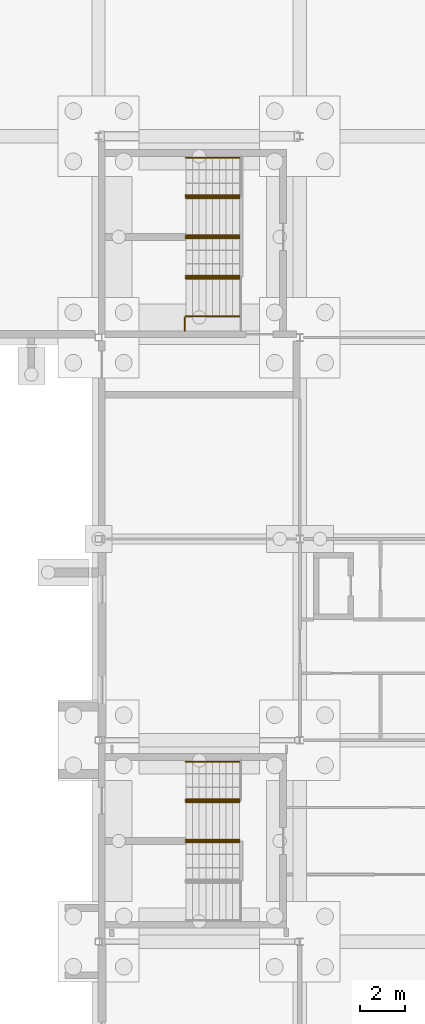
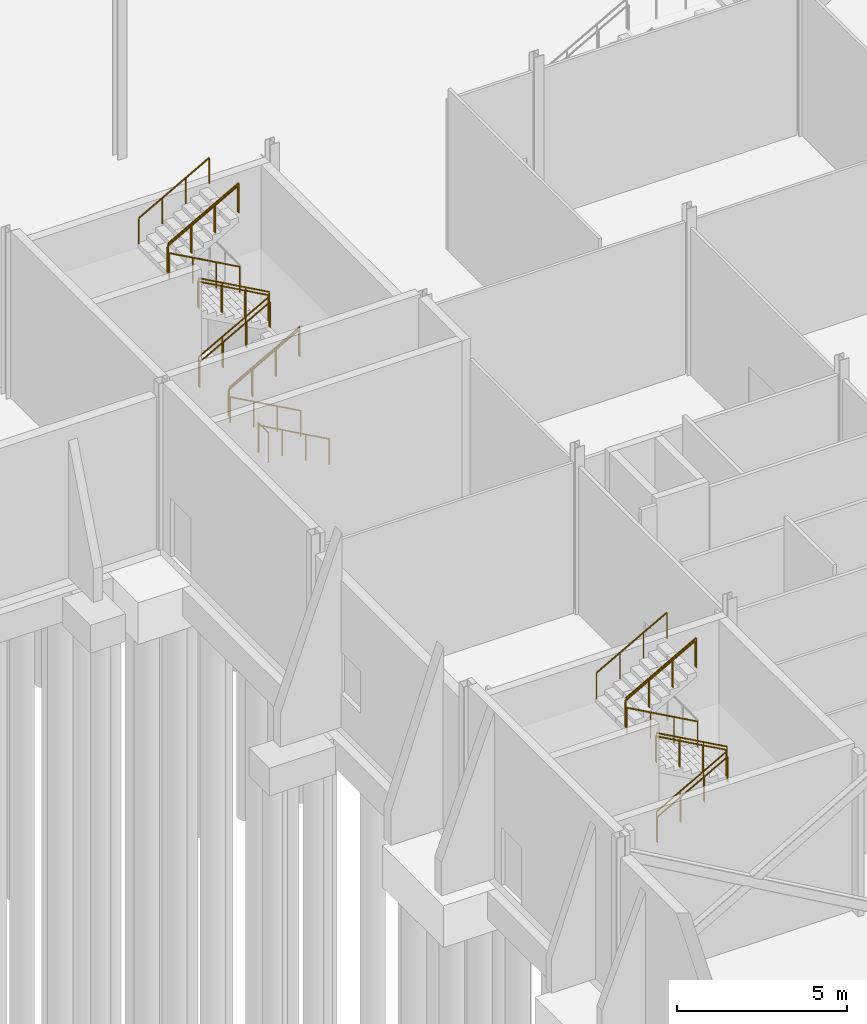
# One storey, part 131 of 139: 21 railings.
"""IFC4 building model written with IfcOpenShell, lengths in metres."""

from ifc_helpers import new_model, si_unit, direction, frame, origin, origin_2d, place, context, subcontext, project, spatial, circle, extrude, material, type_object, element, save


model = new_model("IFC4")

# Units and contexts
model_context = context("Model", 3, precision=1e-05, world=origin(), true_north=direction((0.0, 1.0)))
body_context = subcontext(model_context, "Body", "Model", "MODEL_VIEW")
ifc_project = project(units=[si_unit("LENGTHUNIT", "METRE"), si_unit("AREAUNIT", "SQUARE_METRE"), si_unit("VOLUMEUNIT", "CUBIC_METRE"), si_unit("PLANEANGLEUNIT", "RADIAN"), si_unit("MASSUNIT", "GRAM", prefix="KILO")], contexts=[model_context])

# Site, building, storey
site_placement = place(None, origin())
site = spatial("IfcSite", under=ifc_project, at=site_placement, CompositionType="ELEMENT")
building_placement = place(site_placement, origin())
building = spatial("IfcBuilding", under=site, at=building_placement, Name="Shorebreak Coast Museum", CompositionType="ELEMENT")
storey_placement = place(building_placement, origin())
storey = spatial("IfcBuildingStorey", under=building, at=storey_placement, Name="L00", CompositionType="ELEMENT", Elevation=0.0)

# Railings
ifc_material_1 = material(Name="Steel Grade 300", Category="steel")
railing_type_1 = type_object("IfcRailingType", Name="Stair guard 1100", PredefinedType="GUARDRAIL", material=ifc_material_1)
railing_1_placement = place(storey_placement, frame((57.85009765625, 54.300048828125, 1.5)))
element("IfcRailing", 1, at=railing_1_placement, inside=storey, type_object=railing_type_1, Name="Guard ST01 L00 landing strip", PredefinedType="GUARDRAIL", context=body_context, shape_type="SweptSolid", body=[
    extrude(circle(Radius=0.02490234375, at=origin_2d()), frame((0.0, 0.0, 1.0751953125), z_axis=(0.0, 1.0, 0.0), x_axis=(-1.0, 0.0, 0.0)), (0.0, 0.0, 1.0), 0.599853515625),
    extrude(circle(Radius=0.02001953125, at=origin_2d()), origin(), (0.0, 0.0, 1.0), 1.050048828125),
    extrude(circle(Radius=0.02001953125, at=origin_2d()), frame((0.0, 0.599853515625, 0.0)), (0.0, 0.0, 1.0), 1.050048828125),
])
for number, where, name in (
    (2, (57.89990234375, 56.699951171875, 1.666748046875), "Guard ST01-L00 well 1"),
    (3, (57.89990234375, 60.300048828125, 4.666748046875), "Guard ST01-L00 well 2"),
    (4, (57.89990234375, 58.5, 1.666748046875), "Guard ST01-L00 side 1"),
):
    element("IfcRailing", number, at=place(storey_placement, frame(where)), inside=storey, type_object=railing_type_1, Name=name, PredefinedType="GUARDRAIL", context=body_context, shape_type="SweptSolid", body=[
        extrude(circle(Radius=0.02490234375, at=origin_2d()), frame((0.0, 0.0, 1.0751953125), z_axis=(0.874182441271, 0.0, 0.485597631145), x_axis=(0.0, 1.0, 0.0)), (0.0, 0.0, 1.0), 2.74560546875),
        extrude(circle(Radius=0.02001953125, at=origin_2d()), origin(), (0.0, 0.0, 1.0), 1.050048828125),
        extrude(circle(Radius=0.02001953125, at=origin_2d()), frame((0.800048828125, 0.0, 0.4443359375)), (0.0, 0.0, 1.0), 1.050048828125),
        extrude(circle(Radius=0.02001953125, at=origin_2d()), frame((1.60009765625, 0.0, 0.888916015625)), (0.0, 0.0, 1.0), 1.050048828125),
        extrude(circle(Radius=0.02001953125, at=origin_2d()), frame((2.400146484375, 0.0, 1.333251953125)), (0.0, 0.0, 1.0), 1.050048828125),
    ])
railing_2_placement = place(storey_placement, frame((60.300048828125, 58.5, 3.166748046875)))
element("IfcRailing", 5, at=railing_2_placement, inside=storey, type_object=railing_type_1, Name="Guard ST01-L00 side 2", PredefinedType="GUARDRAIL", context=body_context, shape_type="SweptSolid", body=[
    extrude(circle(Radius=0.02490234375, at=origin_2d()), frame((0.0, 0.0, 1.0751953125), z_axis=(-0.874182441271, 0.0, 0.485597631145), x_axis=(0.0, -1.0, 0.0)), (0.0, 0.0, 1.0), 2.74560546875),
    extrude(circle(Radius=0.02001953125, at=origin_2d()), origin(), (0.0, 0.0, 1.0), 1.050048828125),
    extrude(circle(Radius=0.02001953125, at=origin_2d()), frame((-0.800048828125, 0.0, 0.4443359375)), (0.0, 0.0, 1.0), 1.050048828125),
    extrude(circle(Radius=0.02001953125, at=origin_2d()), frame((-1.60009765625, 0.0, 0.888916015625)), (0.0, 0.0, 1.0), 1.050048828125),
    extrude(circle(Radius=0.02001953125, at=origin_2d()), frame((-2.400146484375, 0.0, 1.333251953125)), (0.0, 0.0, 1.0), 1.050048828125),
])
for number, where, name in (
    (6, (57.89990234375, 33.300048828125, 4.666748046875), "Guard ST13-L00 well 2"),
    (7, (57.89990234375, 31.5, 1.666748046875), "Guard ST13-L00 side 1"),
):
    element("IfcRailing", number, at=place(storey_placement, frame(where)), inside=storey, type_object=railing_type_1, Name=name, PredefinedType="GUARDRAIL", context=body_context, shape_type="SweptSolid", body=[
        extrude(circle(Radius=0.02490234375, at=origin_2d()), frame((0.0, 0.0, 1.0751953125), z_axis=(0.874182441271, 0.0, 0.485597631145), x_axis=(0.0, 1.0, 0.0)), (0.0, 0.0, 1.0), 2.74560546875),
        extrude(circle(Radius=0.02001953125, at=origin_2d()), origin(), (0.0, 0.0, 1.0), 1.050048828125),
        extrude(circle(Radius=0.02001953125, at=origin_2d()), frame((0.800048828125, 0.0, 0.4443359375)), (0.0, 0.0, 1.0), 1.050048828125),
        extrude(circle(Radius=0.02001953125, at=origin_2d()), frame((1.60009765625, 0.0, 0.888916015625)), (0.0, 0.0, 1.0), 1.050048828125),
        extrude(circle(Radius=0.02001953125, at=origin_2d()), frame((2.400146484375, 0.0, 1.333251953125)), (0.0, 0.0, 1.0), 1.050048828125),
    ])
railing_3_placement = place(storey_placement, frame((60.300048828125, 31.5, 3.166748046875)))
element("IfcRailing", 8, at=railing_3_placement, inside=storey, type_object=railing_type_1, Name="Guard ST13-L00 side 2", PredefinedType="GUARDRAIL", context=body_context, shape_type="SweptSolid", body=[
    extrude(circle(Radius=0.02490234375, at=origin_2d()), frame((0.0, 0.0, 1.0751953125), z_axis=(-0.874182441271, 0.0, 0.485597631145), x_axis=(0.0, -1.0, 0.0)), (0.0, 0.0, 1.0), 2.74560546875),
    extrude(circle(Radius=0.02001953125, at=origin_2d()), origin(), (0.0, 0.0, 1.0), 1.050048828125),
    extrude(circle(Radius=0.02001953125, at=origin_2d()), frame((-0.800048828125, 0.0, 0.4443359375)), (0.0, 0.0, 1.0), 1.050048828125),
    extrude(circle(Radius=0.02001953125, at=origin_2d()), frame((-1.60009765625, 0.0, 0.888916015625)), (0.0, 0.0, 1.0), 1.050048828125),
    extrude(circle(Radius=0.02001953125, at=origin_2d()), frame((-2.400146484375, 0.0, 1.333251953125)), (0.0, 0.0, 1.0), 1.050048828125),
])
ifc_material_2 = material(Name="Steel Grade 300", Category="steel")
railing_type_2 = type_object("IfcRailingType", Name="Stair handrail 950", PredefinedType="HANDRAIL", material=ifc_material_2)
for number, where, name in (
    (9, (60.300048828125, 54.9599609375, 0.166748046875), "Handrail ST01-L00 flight 1a"),
    (10, (60.300048828125, 56.639892578125, 0.166748046875), "Handrail ST01-L00 flight 1b"),
):
    element("IfcRailing", number, at=place(storey_placement, frame(where)), inside=storey, type_object=railing_type_2, Name=name, PredefinedType="HANDRAIL", context=body_context, shape_type="SweptSolid", body=[
        extrude(circle(Radius=0.02490234375, at=origin_2d()), frame((0.0, 0.0, 0.9248046875), z_axis=(-0.874182441271, 0.0, 0.485597631145), x_axis=(0.0, -1.0, 0.0)), (0.0, 0.0, 1.0), 2.74560546875),
        extrude(circle(Radius=0.02001953125, at=origin_2d()), origin(), (0.0, 0.0, 1.0), 0.89990234375),
        extrude(circle(Radius=0.02001953125, at=origin_2d()), frame((-0.800048828125, 0.0, 0.4443359375)), (0.0, 0.0, 1.0), 0.89990234375),
        extrude(circle(Radius=0.02001953125, at=origin_2d()), frame((-1.60009765625, 0.0, 0.888916015625)), (0.0, 0.0, 1.0), 0.89990234375),
        extrude(circle(Radius=0.02001953125, at=origin_2d()), frame((-2.400146484375, 0.0, 1.333251953125)), (0.0, 0.0, 1.0), 0.89990234375),
    ])
for number, where, name in (
    (11, (57.89990234375, 56.760009765625, 1.666748046875), "Handrail ST01-L00 flight 2a"),
    (12, (57.89990234375, 58.43994140625, 1.666748046875), "Handrail ST01-L00 flight 2b"),
):
    element("IfcRailing", number, at=place(storey_placement, frame(where)), inside=storey, type_object=railing_type_2, Name=name, PredefinedType="HANDRAIL", context=body_context, shape_type="SweptSolid", body=[
        extrude(circle(Radius=0.02490234375, at=origin_2d()), frame((0.0, 0.0, 0.9248046875), z_axis=(0.874182441271, 0.0, 0.485597631145), x_axis=(0.0, 1.0, 0.0)), (0.0, 0.0, 1.0), 2.74560546875),
        extrude(circle(Radius=0.02001953125, at=origin_2d()), origin(), (0.0, 0.0, 1.0), 0.89990234375),
        extrude(circle(Radius=0.02001953125, at=origin_2d()), frame((0.800048828125, 0.0, 0.4443359375)), (0.0, 0.0, 1.0), 0.89990234375),
        extrude(circle(Radius=0.02001953125, at=origin_2d()), frame((1.60009765625, 0.0, 0.888916015625)), (0.0, 0.0, 1.0), 0.89990234375),
        extrude(circle(Radius=0.02001953125, at=origin_2d()), frame((2.400146484375, 0.0, 1.333251953125)), (0.0, 0.0, 1.0), 0.89990234375),
    ])
for number, where, name in (
    (13, (60.300048828125, 58.56005859375, 3.166748046875), "Handrail ST01-L00 flight 3a"),
    (14, (60.300048828125, 60.239990234375, 3.166748046875), "Handrail ST01-L00 flight 3b"),
):
    element("IfcRailing", number, at=place(storey_placement, frame(where)), inside=storey, type_object=railing_type_2, Name=name, PredefinedType="HANDRAIL", context=body_context, shape_type="SweptSolid", body=[
        extrude(circle(Radius=0.02490234375, at=origin_2d()), frame((0.0, 0.0, 0.9248046875), z_axis=(-0.874182441271, 0.0, 0.485597631145), x_axis=(0.0, -1.0, 0.0)), (0.0, 0.0, 1.0), 2.74560546875),
        extrude(circle(Radius=0.02001953125, at=origin_2d()), origin(), (0.0, 0.0, 1.0), 0.89990234375),
        extrude(circle(Radius=0.02001953125, at=origin_2d()), frame((-0.800048828125, 0.0, 0.4443359375)), (0.0, 0.0, 1.0), 0.89990234375),
        extrude(circle(Radius=0.02001953125, at=origin_2d()), frame((-1.60009765625, 0.0, 0.888916015625)), (0.0, 0.0, 1.0), 0.89990234375),
        extrude(circle(Radius=0.02001953125, at=origin_2d()), frame((-2.400146484375, 0.0, 1.333251953125)), (0.0, 0.0, 1.0), 0.89990234375),
    ])
for number, where, name in (
    (15, (57.89990234375, 60.360107421875, 4.666748046875), "Handrail ST01-L00 flight 4a"),
    (16, (57.89990234375, 62.0400390625, 4.666748046875), "Handrail ST01-L00 flight 4b"),
    (17, (57.89990234375, 31.43994140625, 1.666748046875), "Handrail ST13-L00 flight 2b"),
):
    element("IfcRailing", number, at=place(storey_placement, frame(where)), inside=storey, type_object=railing_type_2, Name=name, PredefinedType="HANDRAIL", context=body_context, shape_type="SweptSolid", body=[
        extrude(circle(Radius=0.02490234375, at=origin_2d()), frame((0.0, 0.0, 0.9248046875), z_axis=(0.874182441271, 0.0, 0.485597631145), x_axis=(0.0, 1.0, 0.0)), (0.0, 0.0, 1.0), 2.74560546875),
        extrude(circle(Radius=0.02001953125, at=origin_2d()), origin(), (0.0, 0.0, 1.0), 0.89990234375),
        extrude(circle(Radius=0.02001953125, at=origin_2d()), frame((0.800048828125, 0.0, 0.4443359375)), (0.0, 0.0, 1.0), 0.89990234375),
        extrude(circle(Radius=0.02001953125, at=origin_2d()), frame((1.60009765625, 0.0, 0.888916015625)), (0.0, 0.0, 1.0), 0.89990234375),
        extrude(circle(Radius=0.02001953125, at=origin_2d()), frame((2.400146484375, 0.0, 1.333251953125)), (0.0, 0.0, 1.0), 0.89990234375),
    ])
for number, where, name in (
    (18, (60.300048828125, 31.56005859375, 3.166748046875), "Handrail ST13-L00 flight 3a"),
    (19, (60.300048828125, 33.239990234375, 3.166748046875), "Handrail ST13-L00 flight 3b"),
):
    element("IfcRailing", number, at=place(storey_placement, frame(where)), inside=storey, type_object=railing_type_2, Name=name, PredefinedType="HANDRAIL", context=body_context, shape_type="SweptSolid", body=[
        extrude(circle(Radius=0.02490234375, at=origin_2d()), frame((0.0, 0.0, 0.9248046875), z_axis=(-0.874182441271, 0.0, 0.485597631145), x_axis=(0.0, -1.0, 0.0)), (0.0, 0.0, 1.0), 2.74560546875),
        extrude(circle(Radius=0.02001953125, at=origin_2d()), origin(), (0.0, 0.0, 1.0), 0.89990234375),
        extrude(circle(Radius=0.02001953125, at=origin_2d()), frame((-0.800048828125, 0.0, 0.4443359375)), (0.0, 0.0, 1.0), 0.89990234375),
        extrude(circle(Radius=0.02001953125, at=origin_2d()), frame((-1.60009765625, 0.0, 0.888916015625)), (0.0, 0.0, 1.0), 0.89990234375),
        extrude(circle(Radius=0.02001953125, at=origin_2d()), frame((-2.400146484375, 0.0, 1.333251953125)), (0.0, 0.0, 1.0), 0.89990234375),
    ])
for number, where, name in (
    (20, (57.89990234375, 33.360107421875, 4.666748046875), "Handrail ST13-L00 flight 4a"),
    (21, (57.89990234375, 35.0400390625, 4.666748046875), "Handrail ST13-L00 flight 4b"),
):
    element("IfcRailing", number, at=place(storey_placement, frame(where)), inside=storey, type_object=railing_type_2, Name=name, PredefinedType="HANDRAIL", context=body_context, shape_type="SweptSolid", body=[
        extrude(circle(Radius=0.02490234375, at=origin_2d()), frame((0.0, 0.0, 0.9248046875), z_axis=(0.874182441271, 0.0, 0.485597631145), x_axis=(0.0, 1.0, 0.0)), (0.0, 0.0, 1.0), 2.74560546875),
        extrude(circle(Radius=0.02001953125, at=origin_2d()), origin(), (0.0, 0.0, 1.0), 0.89990234375),
        extrude(circle(Radius=0.02001953125, at=origin_2d()), frame((0.800048828125, 0.0, 0.4443359375)), (0.0, 0.0, 1.0), 0.89990234375),
        extrude(circle(Radius=0.02001953125, at=origin_2d()), frame((1.60009765625, 0.0, 0.888916015625)), (0.0, 0.0, 1.0), 0.89990234375),
        extrude(circle(Radius=0.02001953125, at=origin_2d()), frame((2.400146484375, 0.0, 1.333251953125)), (0.0, 0.0, 1.0), 0.89990234375),
    ])

save(model, "model.ifc")
